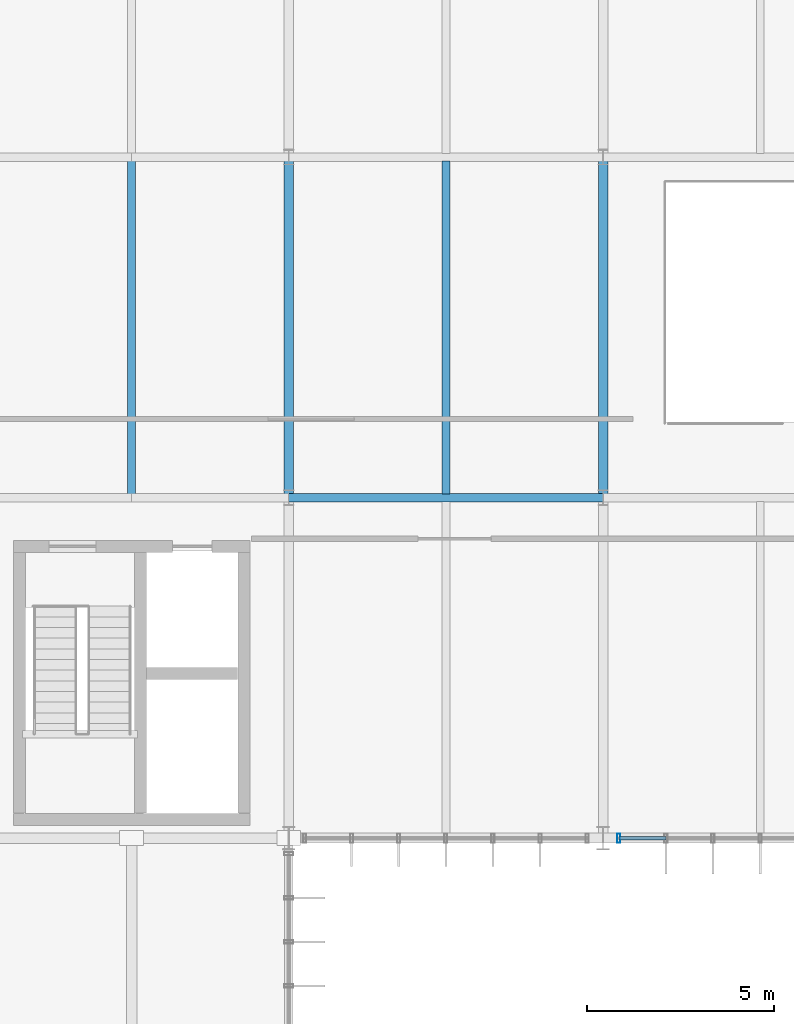
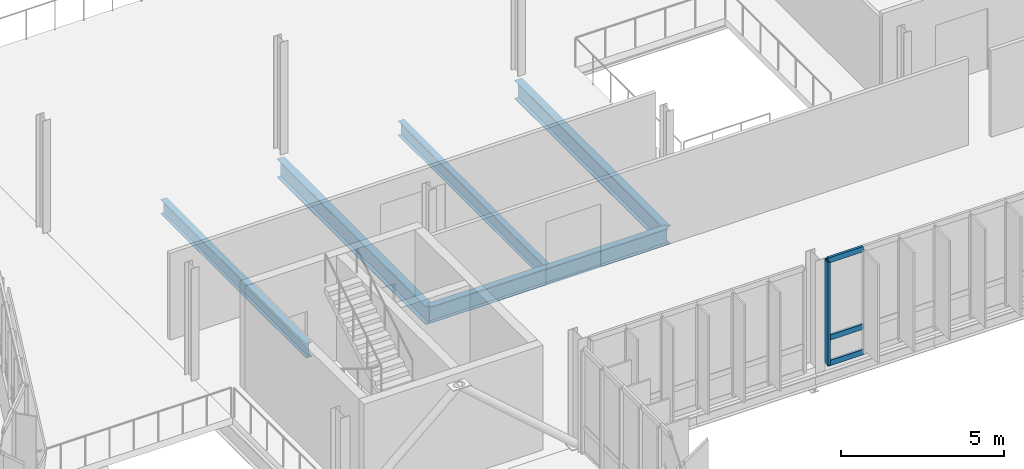
# One storey, part 32 of 107: 5 beams, 4 members, 1 element without a shape of its own.
"""IFC4 building model written with IfcOpenShell, lengths in metres."""

import ifcopenshell
import ifcopenshell.guid

model = None  # the IFC model being written
_history = None  # IfcOwnerHistory: only IFC2X3 demands one
_inside = {}  # id of a spatial element -> (the spatial element, [elements in it])
_under = {}  # id of a project, library or spatial element -> (it, [spatial elements below it])
_declared = {}  # id of a project -> (the project, [libraries it declares])
_typed = {}  # id of a type object -> (the type object, [elements of that type])
_made_of = {}  # id of a material, layer set ... -> (it, [elements and type objects made of it])


def new_model(schema):
    """Start an empty IFC model of exactly this schema.

    Asked for "IFC4X3", IfcOpenShell would pick the latest addendum, in which some entities
    have other attributes; the version numbers below select the first issue.
    IFC2X3 requires an IfcOwnerHistory on every rooted entity: one is made here for all.
    """
    global model, _history
    if schema == "IFC4X3":
        model = ifcopenshell.file(schema_version=(4, 3, 0, 0))
    else:
        model = ifcopenshell.file(schema=schema)
    _inside.clear()
    _under.clear()
    _declared.clear()
    _typed.clear()
    _made_of.clear()
    _history = None
    if model.schema == "IFC2X3":
        org = make("IfcOrganization", Name="unknown")
        user = make(
            "IfcPersonAndOrganization",
            ThePerson=make("IfcPerson", FamilyName="unknown"),
            TheOrganization=org,
        )
        app = make(
            "IfcApplication",
            ApplicationDeveloper=org,
            Version="unknown",
            ApplicationFullName="unknown",
            ApplicationIdentifier="unknown",
        )
        _history = make(
            "IfcOwnerHistory",
            OwningUser=user,
            OwningApplication=app,
            ChangeAction="ADDED",
            CreationDate=0,
        )
    return model


def make(cls, **values):
    """One entity of the class cls with the attributes given. An attribute that is None is left unset."""
    return model.create_entity(
        cls, **{name: value for name, value in values.items() if value is not None}
    )


def rooted(cls, **values):
    """An entity with a GlobalId (a new one), such as an element, a storey or a relation."""
    return make(cls, GlobalId=ifcopenshell.guid.new(), OwnerHistory=_history, **values)


def si_unit(unit_type, name, prefix=None):
    """IfcSIUnit, for example si_unit("LENGTHUNIT", "METRE", prefix="MILLI")."""
    return make("IfcSIUnit", UnitType=unit_type, Prefix=prefix, Name=name)


def derived_unit(unit_type, elements):
    """IfcDerivedUnit: a product of units, each with its exponent."""
    return make(
        "IfcDerivedUnit",
        Elements=[
            make("IfcDerivedUnitElement", Unit=unit, Exponent=power)
            for unit, power in elements
        ],
        UnitType=unit_type,
    )


def assignment(units):
    """IfcUnitAssignment: the units of a project."""
    return None if units is None else make("IfcUnitAssignment", Units=units)


def point(xyz):
    """IfcCartesianPoint."""
    return None if xyz is None else make("IfcCartesianPoint", Coordinates=xyz)


def direction(xyz):
    """IfcDirection."""
    return None if xyz is None else make("IfcDirection", DirectionRatios=xyz)


def frame(location, z_axis=None, x_axis=None):
    """IfcAxis2Placement3D, a coordinate frame: its origin and axes. An axis left out is left unset."""
    return make(
        "IfcAxis2Placement3D",
        Location=point(location),
        Axis=direction(z_axis),
        RefDirection=direction(x_axis),
    )


def frame_2d(location, x_axis=None):
    """IfcAxis2Placement2D, a coordinate frame in the plane: its origin and x axis."""
    return make(
        "IfcAxis2Placement2D", Location=point(location), RefDirection=direction(x_axis)
    )


def origin():
    """The frame at (0, 0, 0) with its axes left unset."""
    return frame((0.0, 0.0, 0.0))


def origin_2d():
    """The frame at (0, 0) in the plane with its x axis left unset."""
    return frame_2d((0.0, 0.0))


def place(relative_to, where):
    """IfcLocalPlacement: puts the frame where relative to a parent placement (None: the world)."""
    return make(
        "IfcLocalPlacement", PlacementRelTo=relative_to, RelativePlacement=where
    )


def context(
    kind, dimensions, precision=None, world=None, true_north=None, identifier=None
):
    """IfcGeometricRepresentationContext, for example the 3D "Model" context."""
    return make(
        "IfcGeometricRepresentationContext",
        ContextIdentifier=identifier,
        ContextType=kind,
        CoordinateSpaceDimension=dimensions,
        Precision=precision,
        WorldCoordinateSystem=world,
        TrueNorth=true_north,
    )


def subcontext(parent, identifier, kind, view, scale=None):
    """IfcGeometricRepresentationSubContext, for example "Body" below "Model"."""
    return make(
        "IfcGeometricRepresentationSubContext",
        ContextIdentifier=identifier,
        ContextType=kind,
        ParentContext=parent,
        TargetScale=scale,
        TargetView=view,
    )


def project(units=None, contexts=None):
    """IfcProject with its units and contexts."""
    return rooted(
        "IfcProject",
        Name="project",
        RepresentationContexts=contexts,
        UnitsInContext=assignment(units),
    )


def spatial(cls, under=None, at=None, **own):
    """A site, building, storey or space (cls), placed at a placement, below another one or the project."""
    s = rooted(cls, ObjectPlacement=at, **own)
    if under is not None:
        _under.setdefault(under.id(), (under, []))[1].append(s)
    return s


def profile(cls, at=None, kind="AREA", **sizes):
    """A parametric profile (cls). Its sizes go by their IFC names, for example OverallWidth=200.0."""
    return make(cls, ProfileType=kind, Position=at, **sizes)


def hollow_rectangle(**sizes):
    """IfcRectangleHollowProfileDef."""
    return profile("IfcRectangleHollowProfileDef", **sizes)


def i_section(**sizes):
    """IfcIShapeProfileDef."""
    return profile("IfcIShapeProfileDef", **sizes)


def extrude(swept, where, along, depth):
    """IfcExtrudedAreaSolid: the profile swept, set in the frame where, extruded along a direction by depth."""
    return make(
        "IfcExtrudedAreaSolid",
        SweptArea=swept,
        Position=where,
        ExtrudedDirection=direction(along),
        Depth=depth,
    )


def shape(context_of_items, identifier, shape_type, items):
    """IfcShapeRepresentation: the items that make up one representation, for example the "Body"."""
    return make(
        "IfcShapeRepresentation",
        ContextOfItems=context_of_items,
        RepresentationIdentifier=identifier,
        RepresentationType=shape_type,
        Items=items,
    )


def material(Name=None, Category=None):
    """IfcMaterial."""
    return make("IfcMaterial", Name=Name, Category=Category)


def layer(
    of_material, thickness, ventilated=None, Name=None, Category=None, Priority=None
):
    """IfcMaterialLayer: one layer of a wall or slab, of a material (None: an air gap)."""
    return make(
        "IfcMaterialLayer",
        Material=of_material,
        LayerThickness=thickness,
        IsVentilated=ventilated,
        Name=Name,
        Category=Category,
        Priority=Priority,
    )


def layer_set(layers, Name=None):
    """IfcMaterialLayerSet."""
    return make("IfcMaterialLayerSet", MaterialLayers=layers, LayerSetName=Name)


def material_profile(
    of_material, cross_section, Name=None, Category=None, Priority=None
):
    """IfcMaterialProfile: a cross section and its material."""
    return make(
        "IfcMaterialProfile",
        Name=Name,
        Material=of_material,
        Profile=cross_section,
        Priority=Priority,
        Category=Category,
    )


def profile_set(profiles, Name=None, composite=None):
    """IfcMaterialProfileSet."""
    return make(
        "IfcMaterialProfileSet",
        Name=Name,
        MaterialProfiles=profiles,
        CompositeProfile=composite,
    )


def made_of(thing, what):
    """Note that an element or type object is made of a material, layer set ...; save() writes the relation."""
    if what is not None:
        _made_of.setdefault(what.id(), (what, []))[1].append(thing)
    return thing


def type_object(cls, material=None, **own):
    """A type object (cls), such as IfcWallType, which elements share."""
    return made_of(rooted(cls, **own), material)


def element(
    cls,
    number,
    at=None,
    inside=None,
    cuts=None,
    type_object=None,
    material=None,
    context=None,
    identifier="Body",
    shape_type=None,
    held_by="IfcProductDefinitionShape",
    body=None,
    shapes=None,
    **own,
):
    """One element of the class cls, such as IfcWall. Its Tag is "e" and its number.

    at: its placement. inside: the storey or other place that contains it. cuts: it is an
    opening in that element (IfcRelVoidsElement). A single representation is given by context,
    identifier, shape_type and body (its items); several are given by shapes. held_by: the class
    of the entity that holds the representations. save() writes the other relations.
    """
    e = rooted(cls, Tag="e%d" % number, ObjectPlacement=at, **own)
    if body is not None:
        shapes = [shape(context, identifier, shape_type, body)]
    if shapes is not None:
        e.Representation = make(held_by, Representations=shapes)
    if inside is not None:
        _inside.setdefault(inside.id(), (inside, []))[1].append(e)
    if cuts is not None:
        rooted(
            "IfcRelVoidsElement", RelatingBuildingElement=cuts, RelatedOpeningElement=e
        )
    if type_object is not None:
        _typed.setdefault(type_object.id(), (type_object, []))[1].append(e)
    return made_of(e, material)


def aggregate(whole, parts):
    """IfcRelAggregates: a whole, such as a stair, and the parts it consists of."""
    return rooted("IfcRelAggregates", RelatingObject=whole, RelatedObjects=parts)


def save(model, path):
    """Write the relations noted so far, then the file.

    IfcRelAggregates (storeys below a building ...), IfcRelContainedInSpatialStructure (elements
    in a storey), IfcRelDefinesByType, IfcRelAssociatesMaterial and IfcRelDeclares: one each for
    every whole, place, type object, material and project.
    """
    for whole, parts in _under.values():
        aggregate(whole, parts)
    for where, things in _inside.values():
        rooted(
            "IfcRelContainedInSpatialStructure",
            RelatedElements=things,
            RelatingStructure=where,
        )
    for kind, things in _typed.values():
        rooted("IfcRelDefinesByType", RelatedObjects=things, RelatingType=kind)
    for what, things in _made_of.values():
        rooted("IfcRelAssociatesMaterial", RelatedObjects=things, RelatingMaterial=what)
    for by, libraries in _declared.values():
        rooted("IfcRelDeclares", RelatingContext=by, RelatedDefinitions=libraries)
    model.write(path)


model = new_model("IFC4")

# Units and contexts
model_context = context("Model", 3, precision=1e-05, world=origin(), true_north=direction((0.0, 1.0)))
body_context = subcontext(model_context, "Body", "Model", "MODEL_VIEW")
ifc_project = project(units=[si_unit("LENGTHUNIT", "METRE"), si_unit("AREAUNIT", "SQUARE_METRE"), si_unit("VOLUMEUNIT", "CUBIC_METRE"), si_unit("PLANEANGLEUNIT", "RADIAN"), si_unit("MASSUNIT", "GRAM", prefix="KILO"), derived_unit("THERMALTRANSMITTANCEUNIT", [(si_unit("MASSUNIT", "GRAM", prefix="KILO"), 1), (si_unit("TIMEUNIT", "SECOND"), -3), (si_unit("THERMODYNAMICTEMPERATUREUNIT", "KELVIN"), -1)])], contexts=[model_context])

# Site, building, storey
site_placement = place(None, origin())
site = spatial("IfcSite", under=ifc_project, at=site_placement, CompositionType="ELEMENT")
building_placement = place(site_placement, origin())
building = spatial("IfcBuilding", under=site, at=building_placement, Name="Makaiwela Harbour Ferry Terminal", CompositionType="ELEMENT")
storey_placement = place(building_placement, frame((0.0, 0.0, 9.60009765625)))
storey = spatial("IfcBuildingStorey", under=building, at=storey_placement, Name="L02", CompositionType="ELEMENT", Elevation=9.60009765625)

# Curtain wall, members
ifc_material_1 = material(Name="Marine anodised aluminium 6063-T6", Category="aluminium")
ifc_layer = layer(ifc_material_1, 0.199951171875)
ifc_layer_set = layer_set([ifc_layer], Name="Marine anodised aluminium 6063-T6")
curtain_wall_type = type_object("IfcCurtainWallType", Name="ENV-CW-09", PredefinedType="USERDEFINED", material=ifc_layer_set)
curtain_wall_placement = place(storey_placement, origin())
curtain_wall = element("IfcCurtainWall", 1, at=curtain_wall_placement, inside=storey, type_object=curtain_wall_type, Name="Unitised Curtain Wall CWA-079", ObjectType="UNITIZED CURTAIN WALL", PredefinedType="USERDEFINED")
ifc_material_profile_1 = material_profile(ifc_material_1, hollow_rectangle(XDim=0.0849609375, YDim=0.25, WallThickness=0.0048828125, at=origin_2d()), Name="CWM-250X85")
ifc_profile_set_1 = profile_set([ifc_material_profile_1], Name="Marine anodised aluminium 6063-T6")
member_type_1 = type_object("IfcMemberType", Name="CW-MUL-250", PredefinedType="MULLION", material=ifc_profile_set_1)
member_1_placement = place(storey_placement, frame((80.219970703125, 49.39990234375, 0.0), z_axis=(0.0, 0.0, 1.0), x_axis=(1.0, 0.0, 0.0)))
member_1 = element("IfcMember", 2, at=member_1_placement, type_object=member_type_1, Name="Curtain Wall Mullion CWA-079-7", PredefinedType="MULLION", context=body_context, shape_type="SweptSolid", body=[
    extrude(hollow_rectangle(XDim=0.0849609375, YDim=0.25, WallThickness=0.0048828125, at=origin_2d()), origin(), (0.0, 0.0, 1.0), 3.849853515625),
])
ifc_material_profile_2 = material_profile(ifc_material_1, hollow_rectangle(XDim=0.0849609375, YDim=0.199951171875, WallThickness=0.0048828125, at=origin_2d()), Name="CWT-200X85")
ifc_profile_set_2 = profile_set([ifc_material_profile_2], Name="Marine anodised aluminium 6063-T6")
member_type_2 = type_object("IfcMemberType", Name="CW-TRN-200", PredefinedType="USERDEFINED", material=ifc_profile_set_2)
member_2_placement = place(storey_placement, frame((81.47998046875, 49.39990234375, 0.0), z_axis=(-1.0, 0.0, 0.0), x_axis=(0.0, -1.0, 0.0)))
member_2 = element("IfcMember", 3, at=member_2_placement, type_object=member_type_2, Name="Curtain Wall Transom CWA-079-6-1", ObjectType="TRANSOM", PredefinedType="USERDEFINED", context=body_context, shape_type="SweptSolid", body=[
    extrude(hollow_rectangle(XDim=0.0849609375, YDim=0.199951171875, WallThickness=0.0048828125, at=origin_2d()), origin(), (0.0, 0.0, 1.0), 1.260009765625),
])
member_3_placement = place(storey_placement, frame((81.47998046875, 49.39990234375, 0.949951171875), z_axis=(-1.0, 0.0, 0.0), x_axis=(0.0, -1.0, 0.0)))
member_3 = element("IfcMember", 4, at=member_3_placement, type_object=member_type_2, Name="Curtain Wall Transom CWA-079-6-2", ObjectType="TRANSOM", PredefinedType="USERDEFINED", context=body_context, shape_type="SweptSolid", body=[
    extrude(hollow_rectangle(XDim=0.0849609375, YDim=0.199951171875, WallThickness=0.0048828125, at=origin_2d()), origin(), (0.0, 0.0, 1.0), 1.260009765625),
])
member_4_placement = place(storey_placement, frame((81.47998046875, 49.39990234375, 3.849853515625), z_axis=(-1.0, 0.0, 0.0), x_axis=(0.0, -1.0, 0.0)))
member_4 = element("IfcMember", 5, at=member_4_placement, type_object=member_type_2, Name="Curtain Wall Transom CWA-079-6-3", ObjectType="TRANSOM", PredefinedType="USERDEFINED", context=body_context, shape_type="SweptSolid", body=[
    extrude(hollow_rectangle(XDim=0.0849609375, YDim=0.199951171875, WallThickness=0.0048828125, at=origin_2d()), origin(), (0.0, 0.0, 1.0), 1.260009765625),
])
aggregate(curtain_wall, [member_1, member_2, member_3, member_4])

# Beams
ifc_material_2 = material(Name="Steel ASTM A992 Grade 50", Category="steel")
ifc_material_profile_3 = material_profile(ifc_material_2, i_section(OverallWidth=0.2099609375, OverallDepth=0.537109375, WebThickness=0.010986328125, FlangeThickness=0.017333984375, at=origin_2d()), Name="W21X68")
ifc_profile_set_3 = profile_set([ifc_material_profile_3], Name="Steel ASTM A992 Grade 50")
beam_type_1 = type_object("IfcBeamType", Name="STR-BM-W21X68", PredefinedType="BEAM", material=ifc_profile_set_3)
for number, where, z_axis, x_axis, name in (
    (6, (67.199951171875, 58.596435546875, -0.528564453125), (0.0, 1.0, 0.0), (-1.0, 0.0, 0.0), "Secondary floor beam 1470"),
    (7, (75.60009765625, 58.596435546875, -0.528564453125), (0.0, 1.0, 0.0), (-1.0, 0.0, 0.0), "Secondary floor beam 1477"),
):
    element("IfcBeam", number, at=place(storey_placement, frame(where, z_axis=z_axis, x_axis=x_axis)), inside=storey, type_object=beam_type_1, Name=name, PredefinedType="BEAM", context=body_context, shape_type="SweptSolid", body=[
        extrude(i_section(OverallWidth=0.2099609375, OverallDepth=0.537109375, WebThickness=0.010986328125, FlangeThickness=0.017333984375, at=origin_2d()), origin(), (0.0, 0.0, 1.0), 8.906982421875),
    ])
ifc_material_profile_4 = material_profile(ifc_material_2, i_section(OverallWidth=0.22900390625, OverallDepth=0.612060546875, WebThickness=0.011962890625, FlangeThickness=0.01953125, at=origin_2d()), Name="W24X84")
ifc_profile_set_4 = profile_set([ifc_material_profile_4], Name="Steel ASTM A992 Grade 50")
beam_type_2 = type_object("IfcBeamType", Name="STR-GRD-W24X84", PredefinedType="USERDEFINED", material=ifc_profile_set_4)
beam_placement = place(storey_placement, frame((71.39990234375, 58.5, -0.566162109375), z_axis=(1.0, 0.0, 0.0), x_axis=(0.0, 1.0, 0.0)))
element("IfcBeam", 8, at=beam_placement, inside=storey, type_object=beam_type_2, Name="Primary X girder 1294", ObjectType="GIRDER", PredefinedType="USERDEFINED", context=body_context, shape_type="SweptSolid", body=[
    extrude(i_section(OverallWidth=0.22900390625, OverallDepth=0.612060546875, WebThickness=0.011962890625, FlangeThickness=0.01953125, at=origin_2d()), origin(), (0.0, 0.0, 1.0), 8.400146484375),
])
ifc_material_profile_5 = material_profile(ifc_material_2, i_section(OverallWidth=0.256103515625, OverallDepth=0.693115234375, WebThickness=0.014404296875, FlangeThickness=0.023681640625, at=origin_2d()), Name="W27X114")
ifc_profile_set_5 = profile_set([ifc_material_profile_5], Name="Steel ASTM A992 Grade 50")
beam_type_3 = type_object("IfcBeamType", Name="STR-GRD-W27X114", PredefinedType="USERDEFINED", material=ifc_profile_set_5)
for number, where, z_axis, x_axis, name in (
    (9, (71.39990234375, 58.5, -0.606689453125), (0.0, 1.0, 0.0), (-1.0, 0.0, 0.0), "Primary Y girder 1371"),
    (10, (79.800048828125, 58.5, -0.606689453125), (0.0, 1.0, 0.0), (-1.0, 0.0, 0.0), "Primary Y girder 1378"),
):
    element("IfcBeam", number, at=place(storey_placement, frame(where, z_axis=z_axis, x_axis=x_axis)), inside=storey, type_object=beam_type_3, Name=name, ObjectType="GIRDER", PredefinedType="USERDEFINED", context=body_context, shape_type="SweptSolid", body=[
        extrude(i_section(OverallWidth=0.256103515625, OverallDepth=0.693115234375, WebThickness=0.014404296875, FlangeThickness=0.023681640625, at=origin_2d()), origin(), (0.0, 0.0, 1.0), 9.10009765625),
    ])

save(model, "model.ifc")
